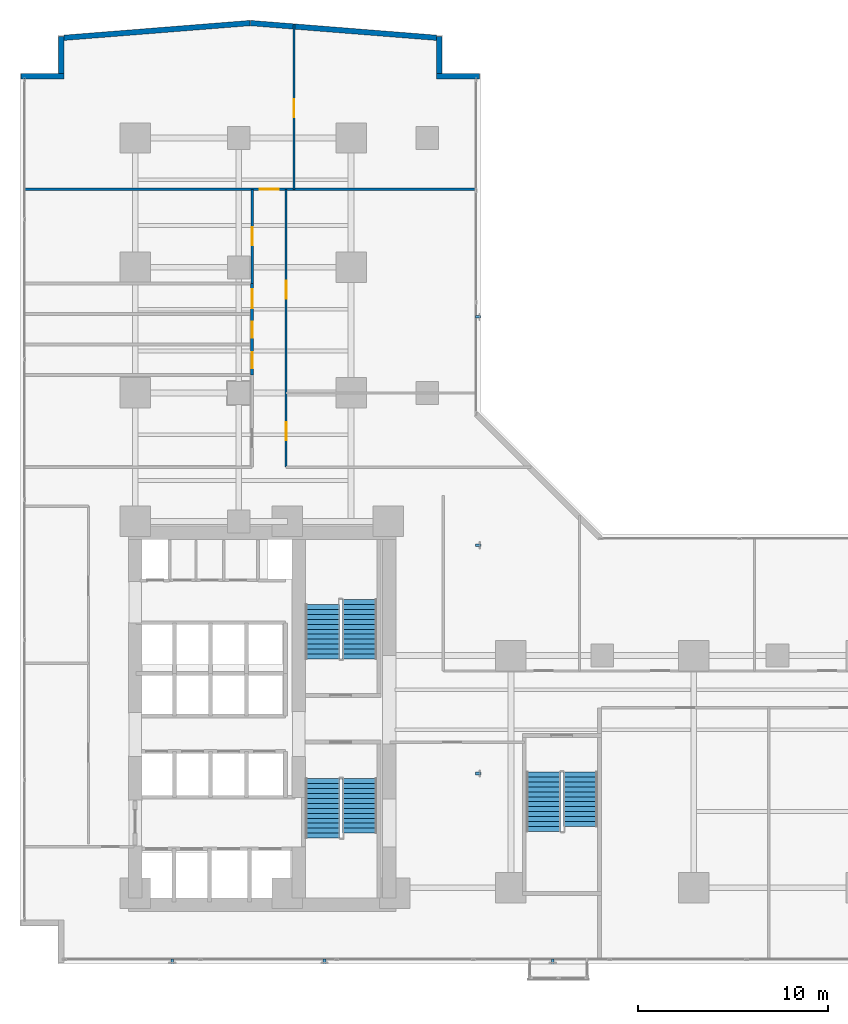
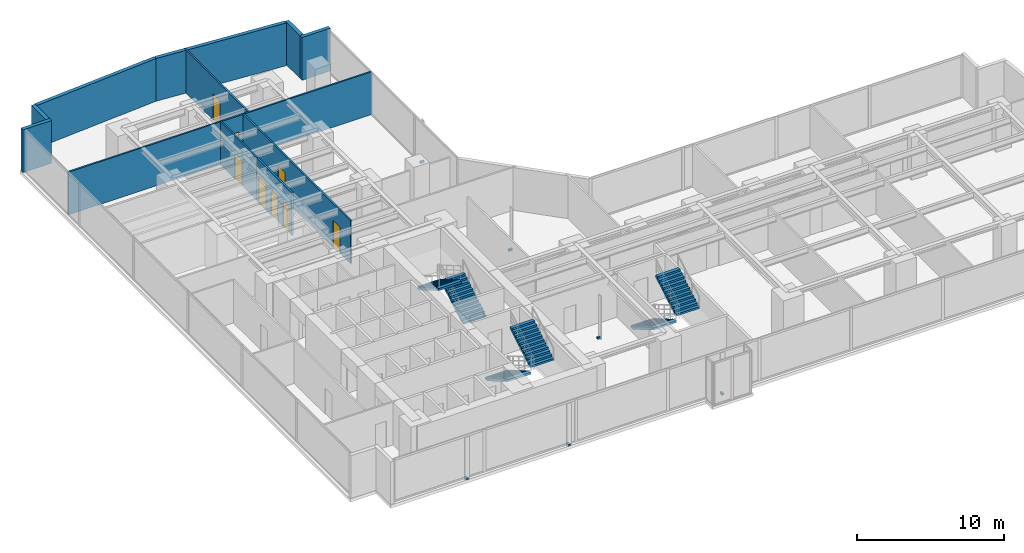
# One storey, part 24 of 26: 11 walls, 8 doors, 6 discrete accessories, 6 stair flights, 8 openings, 3 elements without a shape of their own.
"""IFC4 building model written with IfcOpenShell, lengths in metres."""

from ifc_helpers import new_model, si_unit, direction, frame, frame_2d, origin, origin_with_axes, origin_2d, place, context, subcontext, project, spatial, polyline, rectangle, outline, extrude, source, transform, mapped, material, layer, layer_set, type_object, element, fill, aggregate, save


model = new_model("IFC4")

# Units and contexts
model_context = context("Model", 3, precision=1e-05, world=origin(), true_north=direction((0.0, 1.0)))
body_context = subcontext(model_context, "Body", "Model", "MODEL_VIEW")
ifc_project = project(units=[si_unit("LENGTHUNIT", "METRE"), si_unit("AREAUNIT", "SQUARE_METRE"), si_unit("VOLUMEUNIT", "CUBIC_METRE"), si_unit("PLANEANGLEUNIT", "RADIAN"), si_unit("MASSUNIT", "GRAM", prefix="KILO")], contexts=[model_context])

# Site, building, storey
site_placement = place(None, origin())
site = spatial("IfcSite", under=ifc_project, at=site_placement, CompositionType="ELEMENT")
building_placement = place(site_placement, origin())
building = spatial("IfcBuilding", under=site, at=building_placement, Name="Kolvaren Waterfront Exchange", CompositionType="ELEMENT")
storey_placement = place(building_placement, frame((0.0, 0.0, 48.60009765625)))
storey = spatial("IfcBuildingStorey", under=building, at=storey_placement, Name="L12", CompositionType="ELEMENT", Elevation=48.60009765625)

# Walls
ifc_material_1 = material(Name="Precast concrete C40/50", Category="concrete")
ifc_layer_1 = layer(ifc_material_1, 0.280029296875, Name="Precast concrete C40/50")
ifc_layer_set_1 = layer_set([ifc_layer_1], Name="Precast concrete C40/50")
wall_type_1 = type_object("IfcWallType", Name="ARC-EXT-TERR-280", PredefinedType="SOLIDWALL", material=ifc_layer_set_1)
wall_1_placement = place(storey_placement, frame((23.300048828125, 47.840087890625, 0.0), z_axis=(0.0, 0.0, 1.0), x_axis=(1.0, 0.0, 0.0)))
element("IfcWall", 1, at=wall_1_placement, inside=storey, type_object=wall_type_1, Name="L12 notched corner spandrel pier NNE-A", PredefinedType="SOLIDWALL", context=body_context, shape_type="SweptSolid", body=[
    extrude(rectangle(XDim=2.239990234375, YDim=0.280029296875, at=frame_2d((1.1201171875, 0.0))), origin(), (0.0, 0.0, 1.0), 3.539794921875),
])
wall_2_placement = place(storey_placement, frame((23.43994140625, 47.97998046875, 0.0), z_axis=(0.0, 0.0, 1.0), x_axis=(0.0, 1.0, 0.0)))
element("IfcWall", 2, at=wall_2_placement, inside=storey, type_object=wall_type_1, Name="L12 notched corner spandrel pier NNE-B", PredefinedType="SOLIDWALL", context=body_context, shape_type="SweptSolid", body=[
    extrude(rectangle(XDim=1.9599609375, YDim=0.280029296875, at=frame_2d((0.97998046875, 0.0))), origin(), (0.0, 0.0, 1.0), 3.539794921875),
])
wall_3_placement = place(storey_placement, frame((1.4599609375, 47.840087890625, 0.0), z_axis=(0.0, 0.0, 1.0), x_axis=(1.0, 0.0, 0.0)))
element("IfcWall", 3, at=wall_3_placement, inside=storey, type_object=wall_type_1, Name="L12 notched corner spandrel pier NW-A", PredefinedType="SOLIDWALL", context=body_context, shape_type="SweptSolid", body=[
    extrude(rectangle(XDim=2.239990234375, YDim=0.280029296875, at=frame_2d((1.1201171875, 0.0))), origin(), (0.0, 0.0, 1.0), 3.539794921875),
])
wall_4_placement = place(storey_placement, frame((3.56005859375, 47.97998046875, 0.0), z_axis=(0.0, 0.0, 1.0), x_axis=(0.0, 1.0, 0.0)))
element("IfcWall", 4, at=wall_4_placement, inside=storey, type_object=wall_type_1, Name="L12 notched corner spandrel pier NW-B", PredefinedType="SOLIDWALL", context=body_context, shape_type="SweptSolid", body=[
    extrude(rectangle(XDim=1.9599609375, YDim=0.280029296875, at=frame_2d((0.97998046875, 0.0))), origin(), (0.0, 0.0, 1.0), 3.539794921875),
])
for number, where, z_axis, x_axis, name in (
    (5, (23.288330078125, 49.8642578125, 0.0), (0.0, 0.0, 1.0), (-0.996878337682, 0.078953023125, 0.0), "L12 north prow faceted facade wall 1"),
    (6, (13.49267578125, 50.638916015625, 0.0), (0.0, 0.0, 1.0), (-0.996878337682, -0.078953023125, 0.0), "L12 north prow faceted facade wall 2"),
):
    element("IfcWall", number, at=place(storey_placement, frame(where, z_axis=z_axis, x_axis=x_axis)), inside=storey, type_object=wall_type_1, Name=name, PredefinedType="SOLIDWALL", context=body_context, shape_type="SweptSolid", body=[
        extrude(rectangle(XDim=9.8115234375, YDim=0.280029296875, at=frame_2d((4.90576171875, 0.0))), origin(), (0.0, 0.0, 1.0), 3.539794921875),
    ])

# Wall, opening, door
ifc_material_2 = material(Name="Acoustic gypsum steel stud", Category="steel")
ifc_layer_2 = layer(ifc_material_2, 0.125, Name="Acoustic gypsum steel stud")
ifc_layer_set_2 = layer_set([ifc_layer_2], Name="Acoustic gypsum steel stud")
wall_type_2 = type_object("IfcWallType", Name="ARC-PART-125", PredefinedType="PARTITIONING", material=ifc_layer_set_2)
wall_5_placement = place(storey_placement, frame((13.60009765625, 36.949951171875, 0.0), z_axis=(0.0, 0.0, 1.0), x_axis=(0.0, 1.0, 0.0)))
wall_5 = element("IfcWall", 7, at=wall_5_placement, inside=storey, type_object=wall_type_2, Name="L12 interior wall PW-L12-NW-CORR", PredefinedType="PARTITIONING", context=body_context, shape_type="SweptSolid", body=[
    extrude(rectangle(XDim=4.949951171875, YDim=0.125, at=frame_2d((2.47509765625, 0.0))), origin(), (0.0, 0.0, 1.0), 3.539794921875),
])
opening_1_placement = place(wall_5_placement, frame((2.0, 0.0, 0.0)))
opening_1 = element("IfcOpeningElement", 8, at=opening_1_placement, cuts=wall_5, Name="Opening D02", PredefinedType="OPENING", context=body_context, shape_type="SweptSolid", body=[
    extrude(rectangle(XDim=0.949951171875, YDim=2.14990234375, at=frame_2d((0.47509765625, 1.074951171875))), frame((0.0, 0.072509765625, 0.0), z_axis=(0.0, -1.0, 0.0), x_axis=(1.0, 0.0, 0.0)), (0.0, 0.0, 1.0), 0.14501953125),
])
ifc_material_3 = material(Name="Oak veneer acoustic timber", Category="wood")
door_type_1 = type_object("IfcDoorType", Name="ARC-DR-950", OperationType="NOTDEFINED", PredefinedType="DOOR", material=ifc_material_3)
door_1_placement = place(opening_1_placement, origin())
door_1 = element("IfcDoor", 9, at=door_1_placement, inside=storey, type_object=door_type_1, Name="L12 door DR-L12-NW-D-1 (D02)", OperationType="SINGLE_SWING_LEFT", OverallHeight=2.14990234375, OverallWidth=0.949951171875, PredefinedType="DOOR", context=body_context, shape_type="SweptSolid", body=[
    extrude(rectangle(XDim=0.949951171875, YDim=2.14990234375, at=frame_2d((0.47509765625, 1.074951171875))), frame((0.0, 0.02490234375, 0.0), z_axis=(0.0, -1.0, 0.0), x_axis=(1.0, 0.0, 0.0)), (0.0, 0.0, 1.0), 0.050048828125),
])
fill(opening_1, door_1)

wall_6_placement = place(storey_placement, frame((1.639892578125, 41.89990234375, 0.0), z_axis=(0.0, 0.0, 1.0), x_axis=(1.0, 0.0, 0.0)))
wall_6 = element("IfcWall", 10, at=wall_6_placement, inside=storey, type_object=wall_type_2, Name="L12 interior wall PW-L12-NTIP-S", PredefinedType="PARTITIONING", context=body_context, shape_type="SweptSolid", body=[
    extrude(rectangle(XDim=23.72021484375, YDim=0.125, at=frame_2d((11.860107421875, 0.0))), origin(), (0.0, 0.0, 1.0), 3.539794921875),
])
opening_2_placement = place(wall_6_placement, frame((12.35009765625, 0.0, 0.0)))
opening_2 = element("IfcOpeningElement", 11, at=opening_2_placement, cuts=wall_6, Name="Opening D03", PredefinedType="OPENING", context=body_context, shape_type="SweptSolid", body=[
    extrude(rectangle(XDim=1.0, YDim=2.199951171875, at=frame_2d((0.5, 1.10009765625))), frame((0.0, 0.072509765625, 0.0), z_axis=(0.0, -1.0, 0.0), x_axis=(1.0, 0.0, 0.0)), (0.0, 0.0, 1.0), 0.14501953125),
])
ifc_material_4 = material(Name="Oak veneer accessible timber", Category="wood")
door_type_2 = type_object("IfcDoorType", Name="ARC-DR-1000", OperationType="NOTDEFINED", PredefinedType="DOOR", material=ifc_material_4)
door_2_placement = place(opening_2_placement, origin())
door_2 = element("IfcDoor", 12, at=door_2_placement, inside=storey, type_object=door_type_2, Name="L12 door DR-L12-NTIPW-D (D03)", OperationType="SINGLE_SWING_RIGHT", OverallHeight=2.199951171875, OverallWidth=1.0, PredefinedType="DOOR", context=body_context, shape_type="SweptSolid", body=[
    extrude(rectangle(XDim=1.0, YDim=2.199951171875, at=frame_2d((0.5, 1.10009765625))), frame((0.0, 0.02490234375, 0.0), z_axis=(0.0, -1.0, 0.0), x_axis=(1.0, 0.0, 0.0)), (0.0, 0.0, 1.0), 0.050048828125),
])
fill(opening_2, door_2)

wall_7_placement = place(storey_placement, frame((15.800048828125, 41.89990234375, 0.0), z_axis=(0.0, 0.0, 1.0), x_axis=(0.0, 1.0, 0.0)))
wall_7 = element("IfcWall", 13, at=wall_7_placement, inside=storey, type_object=wall_type_2, Name="L12 interior wall PW-L12-NTIP-DIV", PredefinedType="PARTITIONING", context=body_context, shape_type="SweptSolid", body=[
    extrude(rectangle(XDim=8.66015625, YDim=0.125, at=frame_2d((4.330078125, 0.0))), origin(), (0.0, 0.0, 1.0), 3.539794921875),
])
opening_3_placement = place(wall_7_placement, frame((3.77880859375, 0.0, 0.0)))
opening_3 = element("IfcOpeningElement", 14, at=opening_3_placement, cuts=wall_7, Name="Opening D02", PredefinedType="OPENING", context=body_context, shape_type="SweptSolid", body=[
    extrude(rectangle(XDim=0.949951171875, YDim=2.14990234375, at=frame_2d((0.47509765625, 1.074951171875))), frame((0.0, 0.072509765625, 0.0), z_axis=(0.0, -1.0, 0.0), x_axis=(1.0, 0.0, 0.0)), (0.0, 0.0, 1.0), 0.14501953125),
])
door_3_placement = place(opening_3_placement, origin())
door_3 = element("IfcDoor", 15, at=door_3_placement, inside=storey, type_object=door_type_1, Name="L12 door DR-L12-NTIPE-D (D02)", OperationType="SINGLE_SWING_LEFT", OverallHeight=2.14990234375, OverallWidth=0.949951171875, PredefinedType="DOOR", context=body_context, shape_type="SweptSolid", body=[
    extrude(rectangle(XDim=0.949951171875, YDim=2.14990234375, at=frame_2d((0.47509765625, 1.074951171875))), frame((0.0, 0.02490234375, 0.0), z_axis=(0.0, -1.0, 0.0), x_axis=(1.0, 0.0, 0.0)), (0.0, 0.0, 1.0), 0.050048828125),
])
fill(opening_3, door_3)

# Wall, openings, doors
wall_8_placement = place(storey_placement, frame((15.3798828125, 27.300048828125, 0.0), z_axis=(0.0, 0.0, 1.0), x_axis=(0.0, 1.0, 0.0)))
wall_8 = element("IfcWall", 16, at=wall_8_placement, inside=storey, type_object=wall_type_2, Name="L12 interior wall PW-L12-NE-CORR", PredefinedType="PARTITIONING", context=body_context, shape_type="SweptSolid", body=[
    extrude(rectangle(XDim=14.599853515625, YDim=0.125, at=frame_2d((7.2998046875, 0.0))), origin(), (0.0, 0.0, 1.0), 3.539794921875),
])
opening_4_placement = place(wall_8_placement, frame((1.4033203125, 0.0, 0.0)))
opening_4 = element("IfcOpeningElement", 17, at=opening_4_placement, cuts=wall_8, Name="Opening D02", PredefinedType="OPENING", context=body_context, shape_type="SweptSolid", body=[
    extrude(rectangle(XDim=0.949951171875, YDim=2.14990234375, at=frame_2d((0.47509765625, 1.074951171875))), frame((0.0, 0.072509765625, 0.0), z_axis=(0.0, -1.0, 0.0), x_axis=(1.0, 0.0, 0.0)), (0.0, 0.0, 1.0), 0.14501953125),
])
opening_5_placement = place(wall_8_placement, frame((8.845947265625, 0.0, 0.0)))
opening_5 = element("IfcOpeningElement", 18, at=opening_5_placement, cuts=wall_8, Name="Opening D02", PredefinedType="OPENING", context=body_context, shape_type="SweptSolid", body=[
    extrude(rectangle(XDim=0.949951171875, YDim=2.14990234375, at=frame_2d((0.47509765625, 1.074951171875))), frame((0.0, 0.072509765625, 0.0), z_axis=(0.0, -1.0, 0.0), x_axis=(1.0, 0.0, 0.0)), (0.0, 0.0, 1.0), 0.14501953125),
])
door_4_placement = place(opening_4_placement, origin())
door_4 = element("IfcDoor", 19, at=door_4_placement, inside=storey, type_object=door_type_1, Name="L12 door DR-L12-NE-D-1 (D02)", OperationType="SINGLE_SWING_RIGHT", OverallHeight=2.14990234375, OverallWidth=0.949951171875, PredefinedType="DOOR", context=body_context, shape_type="SweptSolid", body=[
    extrude(rectangle(XDim=0.949951171875, YDim=2.14990234375, at=frame_2d((0.47509765625, 1.074951171875))), frame((0.0, 0.02490234375, 0.0), z_axis=(0.0, -1.0, 0.0), x_axis=(1.0, 0.0, 0.0)), (0.0, 0.0, 1.0), 0.050048828125),
])
fill(opening_4, door_4)
door_5_placement = place(opening_5_placement, origin())
door_5 = element("IfcDoor", 20, at=door_5_placement, inside=storey, type_object=door_type_1, Name="L12 door DR-L12-NE-D-2 (D02)", OperationType="SINGLE_SWING_LEFT", OverallHeight=2.14990234375, OverallWidth=0.949951171875, PredefinedType="DOOR", context=body_context, shape_type="SweptSolid", body=[
    extrude(rectangle(XDim=0.949951171875, YDim=2.14990234375, at=frame_2d((0.47509765625, 1.074951171875))), frame((0.0, 0.02490234375, 0.0), z_axis=(0.0, -1.0, 0.0), x_axis=(1.0, 0.0, 0.0)), (0.0, 0.0, 1.0), 0.050048828125),
])
fill(opening_5, door_5)

ifc_material_5 = material(Name="Moisture-resistant gypsum stud")
ifc_layer_3 = layer(ifc_material_5, 0.14990234375, Name="Moisture-resistant gypsum stud")
ifc_layer_set_3 = layer_set([ifc_layer_3], Name="Moisture-resistant gypsum stud")
wall_type_3 = type_object("IfcWallType", Name="ARC-PLUMB-150", PredefinedType="PLUMBINGWALL", material=ifc_layer_set_3)
wall_9_placement = place(storey_placement, frame((13.60009765625, 32.14990234375, 0.0), z_axis=(0.0, 0.0, 1.0), x_axis=(0.0, 1.0, 0.0)))
wall_9 = element("IfcWall", 21, at=wall_9_placement, inside=storey, type_object=wall_type_3, Name="L12 interior wall PW-L12-WC-E", PredefinedType="PLUMBINGWALL", context=body_context, shape_type="SweptSolid", body=[
    extrude(rectangle(XDim=4.800048828125, YDim=0.14990234375, at=frame_2d((2.39990234375, 0.0))), origin(), (0.0, 0.0, 1.0), 3.539794921875),
])
opening_6_placement = place(wall_9_placement, frame((0.35009765625, 0.0, 0.0)))
opening_6 = element("IfcOpeningElement", 22, at=opening_6_placement, cuts=wall_9, Name="Opening D01", PredefinedType="OPENING", context=body_context, shape_type="SweptSolid", body=[
    extrude(rectangle(XDim=0.85009765625, YDim=2.14990234375, at=frame_2d((0.425048828125, 1.074951171875))), frame((0.0, 0.0849609375, 0.0), z_axis=(0.0, -1.0, 0.0), x_axis=(1.0, 0.0, 0.0)), (0.0, 0.0, 1.0), 0.169921875),
])
opening_7_placement = place(wall_9_placement, frame((1.949951171875, 0.0, 0.0)))
opening_7 = element("IfcOpeningElement", 23, at=opening_7_placement, cuts=wall_9, Name="Opening D01", PredefinedType="OPENING", context=body_context, shape_type="SweptSolid", body=[
    extrude(rectangle(XDim=0.85009765625, YDim=2.14990234375, at=frame_2d((0.425048828125, 1.074951171875))), frame((0.0, 0.0849609375, 0.0), z_axis=(0.0, -1.0, 0.0), x_axis=(1.0, 0.0, 0.0)), (0.0, 0.0, 1.0), 0.169921875),
])
opening_8_placement = place(wall_9_placement, frame((3.5, 0.0, 0.0)))
opening_8 = element("IfcOpeningElement", 24, at=opening_8_placement, cuts=wall_9, Name="Opening D03", PredefinedType="OPENING", context=body_context, shape_type="SweptSolid", body=[
    extrude(rectangle(XDim=1.0, YDim=2.199951171875, at=frame_2d((0.5, 1.10009765625))), frame((0.0, 0.0849609375, 0.0), z_axis=(0.0, -1.0, 0.0), x_axis=(1.0, 0.0, 0.0)), (0.0, 0.0, 1.0), 0.169921875),
])
door_6_placement = place(opening_8_placement, origin())
door_6 = element("IfcDoor", 25, at=door_6_placement, inside=storey, type_object=door_type_2, Name="L12 door DR-L12-WCA-D (D03)", OperationType="SINGLE_SWING_LEFT", OverallHeight=2.199951171875, OverallWidth=1.0, PredefinedType="DOOR", context=body_context, shape_type="SweptSolid", body=[
    extrude(rectangle(XDim=1.0, YDim=2.199951171875, at=frame_2d((0.5, 1.10009765625))), frame((0.0, 0.02490234375, 0.0), z_axis=(0.0, -1.0, 0.0), x_axis=(1.0, 0.0, 0.0)), (0.0, 0.0, 1.0), 0.050048828125),
])
fill(opening_8, door_6)
ifc_material_6 = material(Name="Oak veneer timber leaf", Category="wood")
door_type_3 = type_object("IfcDoorType", Name="ARC-DR-900", OperationType="NOTDEFINED", PredefinedType="DOOR", material=ifc_material_6)
door_7_placement = place(opening_6_placement, origin())
door_7 = element("IfcDoor", 26, at=door_7_placement, inside=storey, type_object=door_type_3, Name="L12 door DR-L12-WCM-D (D01)", OperationType="SINGLE_SWING_LEFT", OverallHeight=2.14990234375, OverallWidth=0.85009765625, PredefinedType="DOOR", context=body_context, shape_type="SweptSolid", body=[
    extrude(rectangle(XDim=0.85009765625, YDim=2.14990234375, at=frame_2d((0.425048828125, 1.074951171875))), frame((0.0, 0.02490234375, 0.0), z_axis=(0.0, -1.0, 0.0), x_axis=(1.0, 0.0, 0.0)), (0.0, 0.0, 1.0), 0.050048828125),
])
fill(opening_6, door_7)
door_8_placement = place(opening_7_placement, origin())
door_8 = element("IfcDoor", 27, at=door_8_placement, inside=storey, type_object=door_type_3, Name="L12 door DR-L12-WCF-D (D01)", OperationType="SINGLE_SWING_RIGHT", OverallHeight=2.14990234375, OverallWidth=0.85009765625, PredefinedType="DOOR", context=body_context, shape_type="SweptSolid", body=[
    extrude(rectangle(XDim=0.85009765625, YDim=2.14990234375, at=frame_2d((0.425048828125, 1.074951171875))), frame((0.0, 0.02490234375, 0.0), z_axis=(0.0, -1.0, 0.0), x_axis=(1.0, 0.0, 0.0)), (0.0, 0.0, 1.0), 0.050048828125),
])
fill(opening_7, door_8)

# Stair, stair flights
ifc_material_7 = material(Name="Concrete C40/50", Category="concrete")
stair_type = type_object("IfcStairType", Name="ARC-STAIR-3800", PredefinedType="HALF_TURN_STAIR", material=ifc_material_7)
stair_1_placement = place(storey_placement, origin())
stair_1 = element("IfcStair", 28, at=stair_1_placement, inside=storey, type_object=stair_type, Name="L12 Smoke-proof exit stair ST1", PredefinedType="HALF_TURN_STAIR")
stair_flight_type = type_object("IfcStairFlightType", Name="ARC-FLIGHT-3800", PredefinedType="STRAIGHT", material=ifc_material_7)
stair_flight_1_placement = place(storey_placement, frame((17.300048828125, 10.929931640625, 0.0), z_axis=(0.0, 0.0, 1.0), x_axis=(0.0, -1.0, 0.0)))
stair_flight_1 = element("IfcStairFlight", 29, at=stair_flight_1_placement, type_object=stair_flight_type, Name="ST1 flight 1", NumberOfRisers=13, NumberOfTreads=12, PredefinedType="STRAIGHT", RiserHeight=0.152, TreadLength=0.26, context=body_context, shape_type="SweptSolid", body=[
    extrude(outline(polyline([(0.0, 0.0), (0.0, 0.152099609375), (0.260009765625, 0.152099609375), (0.260009765625, 0.303955078125), (0.52001953125, 0.303955078125), (0.52001953125, 0.4560546875), (0.780029296875, 0.4560546875), (0.780029296875, 0.60791015625), (1.0400390625, 0.60791015625), (1.0400390625, 0.760009765625), (1.300048828125, 0.760009765625), (1.300048828125, 0.912109375), (1.56005859375, 0.912109375), (1.56005859375, 1.06396484375), (1.820068359375, 1.06396484375), (1.820068359375, 1.216064453125), (2.080078125, 1.216064453125), (2.080078125, 1.367919921875), (2.340087890625, 1.367919921875), (2.340087890625, 1.52001953125), (2.60009765625, 1.52001953125), (2.60009765625, 1.672119140625), (2.860107421875, 1.672119140625), (2.860107421875, 1.823974609375), (3.1201171875, 1.823974609375), (3.1201171875, 1.97607421875), (3.1201171875, 1.650390625), (0.297119140625, 0.0), (0.0, 0.0)])), frame((0.0, 0.89990234375, 0.0), z_axis=(0.0, -1.0, 0.0), x_axis=(1.0, 0.0, 0.0)), (0.0, 0.0, 1.0), 1.800048828125),
])
stair_flight_2_placement = place(storey_placement, frame((19.260009765625, 8.070068359375, 1.975830078125), z_axis=(0.0, 0.0, 1.0), x_axis=(0.0, 1.0, 0.0)))
stair_flight_2 = element("IfcStairFlight", 30, at=stair_flight_2_placement, type_object=stair_flight_type, Name="ST1 flight 2", NumberOfRisers=12, NumberOfTreads=11, PredefinedType="STRAIGHT", RiserHeight=0.152, TreadLength=0.26, context=body_context, shape_type="SweptSolid", body=[
    extrude(outline(polyline([(0.0, 0.0), (0.0, 0.152099609375), (0.260009765625, 0.152099609375), (0.260009765625, 0.303955078125), (0.52001953125, 0.303955078125), (0.52001953125, 0.4560546875), (0.780029296875, 0.4560546875), (0.780029296875, 0.60791015625), (1.0400390625, 0.60791015625), (1.0400390625, 0.760009765625), (1.300048828125, 0.760009765625), (1.300048828125, 0.912109375), (1.56005859375, 0.912109375), (1.56005859375, 1.06396484375), (1.820068359375, 1.06396484375), (1.820068359375, 1.216064453125), (2.080078125, 1.216064453125), (2.080078125, 1.367919921875), (2.340087890625, 1.367919921875), (2.340087890625, 1.52001953125), (2.60009765625, 1.52001953125), (2.60009765625, 1.672119140625), (2.860107421875, 1.672119140625), (2.860107421875, 1.823974609375), (2.860107421875, 1.498291015625), (0.297119140625, 0.0), (0.0, 0.0)])), frame((0.0, 0.89990234375, 0.0), z_axis=(0.0, -1.0, 0.0), x_axis=(1.0, 0.0, 0.0)), (0.0, 0.0, 1.0), 1.800048828125),
])
aggregate(stair_1, [stair_flight_1, stair_flight_2])

stair_2_placement = place(storey_placement, origin())
stair_2 = element("IfcStair", 31, at=stair_2_placement, inside=storey, type_object=stair_type, Name="L12 Smoke-proof exit stair ST2", PredefinedType="HALF_TURN_STAIR")
stair_flight_3_placement = place(storey_placement, frame((19.260009765625, 17.219970703125, 0.0), z_axis=(0.0, 0.0, 1.0), x_axis=(0.0, 1.0, 0.0)))
stair_flight_3 = element("IfcStairFlight", 32, at=stair_flight_3_placement, type_object=stair_flight_type, Name="ST2 flight 1", NumberOfRisers=13, NumberOfTreads=12, PredefinedType="STRAIGHT", RiserHeight=0.152, TreadLength=0.26, context=body_context, shape_type="SweptSolid", body=[
    extrude(outline(polyline([(0.0, 0.0), (0.0, 0.152099609375), (0.260009765625, 0.152099609375), (0.260009765625, 0.303955078125), (0.52001953125, 0.303955078125), (0.52001953125, 0.4560546875), (0.780029296875, 0.4560546875), (0.780029296875, 0.60791015625), (1.0400390625, 0.60791015625), (1.0400390625, 0.760009765625), (1.300048828125, 0.760009765625), (1.300048828125, 0.912109375), (1.56005859375, 0.912109375), (1.56005859375, 1.06396484375), (1.820068359375, 1.06396484375), (1.820068359375, 1.216064453125), (2.080078125, 1.216064453125), (2.080078125, 1.367919921875), (2.340087890625, 1.367919921875), (2.340087890625, 1.52001953125), (2.60009765625, 1.52001953125), (2.60009765625, 1.672119140625), (2.860107421875, 1.672119140625), (2.860107421875, 1.823974609375), (3.1201171875, 1.823974609375), (3.1201171875, 1.97607421875), (3.1201171875, 1.650390625), (0.297119140625, 0.0), (0.0, 0.0)])), frame((0.0, 0.89990234375, 0.0), z_axis=(0.0, -1.0, 0.0), x_axis=(1.0, 0.0, 0.0)), (0.0, 0.0, 1.0), 1.800048828125),
])
stair_flight_4_placement = place(storey_placement, frame((17.300048828125, 20.080078125, 1.975830078125), z_axis=(0.0, 0.0, 1.0), x_axis=(0.0, -1.0, 0.0)))
stair_flight_4 = element("IfcStairFlight", 33, at=stair_flight_4_placement, type_object=stair_flight_type, Name="ST2 flight 2", NumberOfRisers=12, NumberOfTreads=11, PredefinedType="STRAIGHT", RiserHeight=0.152, TreadLength=0.26, context=body_context, shape_type="SweptSolid", body=[
    extrude(outline(polyline([(0.0, 0.0), (0.0, 0.152099609375), (0.260009765625, 0.152099609375), (0.260009765625, 0.303955078125), (0.52001953125, 0.303955078125), (0.52001953125, 0.4560546875), (0.780029296875, 0.4560546875), (0.780029296875, 0.60791015625), (1.0400390625, 0.60791015625), (1.0400390625, 0.760009765625), (1.300048828125, 0.760009765625), (1.300048828125, 0.912109375), (1.56005859375, 0.912109375), (1.56005859375, 1.06396484375), (1.820068359375, 1.06396484375), (1.820068359375, 1.216064453125), (2.080078125, 1.216064453125), (2.080078125, 1.367919921875), (2.340087890625, 1.367919921875), (2.340087890625, 1.52001953125), (2.60009765625, 1.52001953125), (2.60009765625, 1.672119140625), (2.860107421875, 1.672119140625), (2.860107421875, 1.823974609375), (2.860107421875, 1.498291015625), (0.297119140625, 0.0), (0.0, 0.0)])), frame((0.0, 0.89990234375, 0.0), z_axis=(0.0, -1.0, 0.0), x_axis=(1.0, 0.0, 0.0)), (0.0, 0.0, 1.0), 1.800048828125),
])
aggregate(stair_2, [stair_flight_3, stair_flight_4])

stair_3_placement = place(storey_placement, origin())
stair_3 = element("IfcStair", 34, at=stair_3_placement, inside=storey, type_object=stair_type, Name="L12 Exit stair ST3", PredefinedType="HALF_TURN_STAIR")
stair_flight_5_placement = place(storey_placement, frame((28.89990234375, 11.280029296875, 0.0), z_axis=(0.0, 0.0, 1.0), x_axis=(0.0, -1.0, 0.0)))
stair_flight_5 = element("IfcStairFlight", 35, at=stair_flight_5_placement, type_object=stair_flight_type, Name="ST3 flight 1", NumberOfRisers=13, NumberOfTreads=12, PredefinedType="STRAIGHT", RiserHeight=0.152, TreadLength=0.26, context=body_context, shape_type="SweptSolid", body=[
    extrude(outline(polyline([(0.0, 0.0), (0.0, 0.152099609375), (0.260009765625, 0.152099609375), (0.260009765625, 0.303955078125), (0.52001953125, 0.303955078125), (0.52001953125, 0.4560546875), (0.780029296875, 0.4560546875), (0.780029296875, 0.60791015625), (1.0400390625, 0.60791015625), (1.0400390625, 0.760009765625), (1.300048828125, 0.760009765625), (1.300048828125, 0.912109375), (1.56005859375, 0.912109375), (1.56005859375, 1.06396484375), (1.820068359375, 1.06396484375), (1.820068359375, 1.216064453125), (2.080078125, 1.216064453125), (2.080078125, 1.367919921875), (2.340087890625, 1.367919921875), (2.340087890625, 1.52001953125), (2.60009765625, 1.52001953125), (2.60009765625, 1.672119140625), (2.860107421875, 1.672119140625), (2.860107421875, 1.823974609375), (3.1201171875, 1.823974609375), (3.1201171875, 1.97607421875), (3.1201171875, 1.650390625), (0.297119140625, 0.0), (0.0, 0.0)])), frame((0.0, 0.89990234375, 0.0), z_axis=(0.0, -1.0, 0.0), x_axis=(1.0, 0.0, 0.0)), (0.0, 0.0, 1.0), 1.800048828125),
])
stair_flight_6_placement = place(storey_placement, frame((30.860107421875, 8.419921875, 1.975830078125), z_axis=(0.0, 0.0, 1.0), x_axis=(0.0, 1.0, 0.0)))
stair_flight_6 = element("IfcStairFlight", 36, at=stair_flight_6_placement, type_object=stair_flight_type, Name="ST3 flight 2", NumberOfRisers=12, NumberOfTreads=11, PredefinedType="STRAIGHT", RiserHeight=0.152, TreadLength=0.26, context=body_context, shape_type="SweptSolid", body=[
    extrude(outline(polyline([(0.0, 0.0), (0.0, 0.152099609375), (0.260009765625, 0.152099609375), (0.260009765625, 0.303955078125), (0.52001953125, 0.303955078125), (0.52001953125, 0.4560546875), (0.780029296875, 0.4560546875), (0.780029296875, 0.60791015625), (1.0400390625, 0.60791015625), (1.0400390625, 0.760009765625), (1.300048828125, 0.760009765625), (1.300048828125, 0.912109375), (1.56005859375, 0.912109375), (1.56005859375, 1.06396484375), (1.820068359375, 1.06396484375), (1.820068359375, 1.216064453125), (2.080078125, 1.216064453125), (2.080078125, 1.367919921875), (2.340087890625, 1.367919921875), (2.340087890625, 1.52001953125), (2.60009765625, 1.52001953125), (2.60009765625, 1.672119140625), (2.860107421875, 1.672119140625), (2.860107421875, 1.823974609375), (2.860107421875, 1.498291015625), (0.297119140625, 0.0), (0.0, 0.0)])), frame((0.0, 0.89990234375, 0.0), z_axis=(0.0, -1.0, 0.0), x_axis=(1.0, 0.0, 0.0)), (0.0, 0.0, 1.0), 1.800048828125),
])
aggregate(stair_3, [stair_flight_5, stair_flight_6])

# Discrete accessories
ifc_material_8 = material(Name="Stainless steel 316", Category="steel")
discrete_accessory_type = type_object("IfcDiscreteAccessoryType", Name="ARC-BRK-FIN", PredefinedType="BRACKET", material=ifc_material_8)
shared_shape = source(origin_with_axes(), body_context, "Body", "SweptSolid", [
    extrude(rectangle(XDim=0.280029296875, YDim=0.139892578125, at=origin_2d()), origin(), (0.0, 0.0, 1.0), 0.159912109375),
])
for number, where, z_axis, x_axis, name in (
    (37, (9.39990234375, 1.320068359375, 0.0), (0.0, 0.0, 1.0), (0.0, -1.0, 0.0), "L12 bronze fin anchor bracket FIN-L12-S1"),
    (38, (17.39990234375, 1.320068359375, 0.0), (0.0, 0.0, 1.0), (0.0, -1.0, 0.0), "L12 bronze fin anchor bracket FIN-L12-S2"),
    (39, (29.39990234375, 1.320068359375, 0.0), (0.0, 0.0, 1.0), (0.0, -1.0, 0.0), "L12 bronze fin anchor bracket FIN-L12-S3"),
    (40, (25.47998046875, 11.199951171875, 0.0), (0.0, 0.0, 1.0), (1.0, 0.0, 0.0), "L12 bronze fin anchor bracket FIN-L12-E1"),
    (41, (25.47998046875, 23.199951171875, 0.0), (0.0, 0.0, 1.0), (1.0, 0.0, 0.0), "L12 bronze fin anchor bracket FIN-L12-E2"),
    (42, (25.47998046875, 35.199951171875, 0.0), (0.0, 0.0, 1.0), (1.0, 0.0, 0.0), "L12 bronze fin anchor bracket FIN-L12-E3"),
):
    element("IfcDiscreteAccessory", number, at=place(storey_placement, frame(where, z_axis=z_axis, x_axis=x_axis)), inside=storey, type_object=discrete_accessory_type, Name=name, PredefinedType="BRACKET", context=body_context, shape_type="MappedRepresentation", body=[
        mapped(shared_shape, transform((0.0, 0.0, 0.0), x_axis=(1.0, 0.0, 0.0), y_axis=(0.0, 1.0, 0.0), z_axis=(0.0, 0.0, 1.0), scale=1.0)),
    ])

save(model, "model.ifc")
